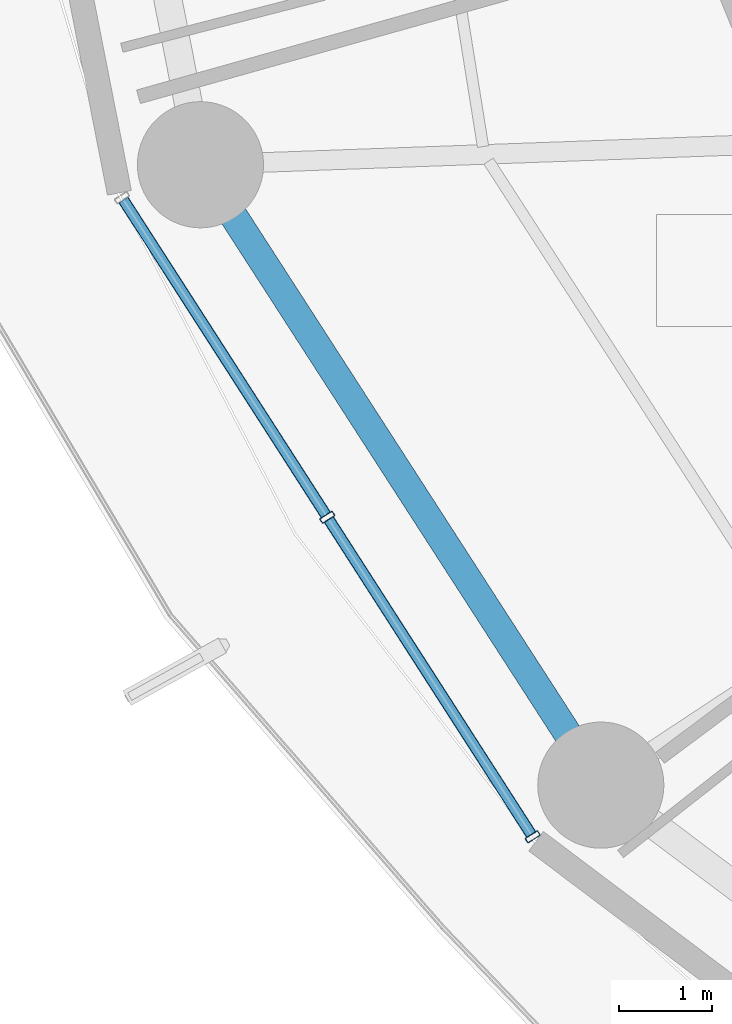
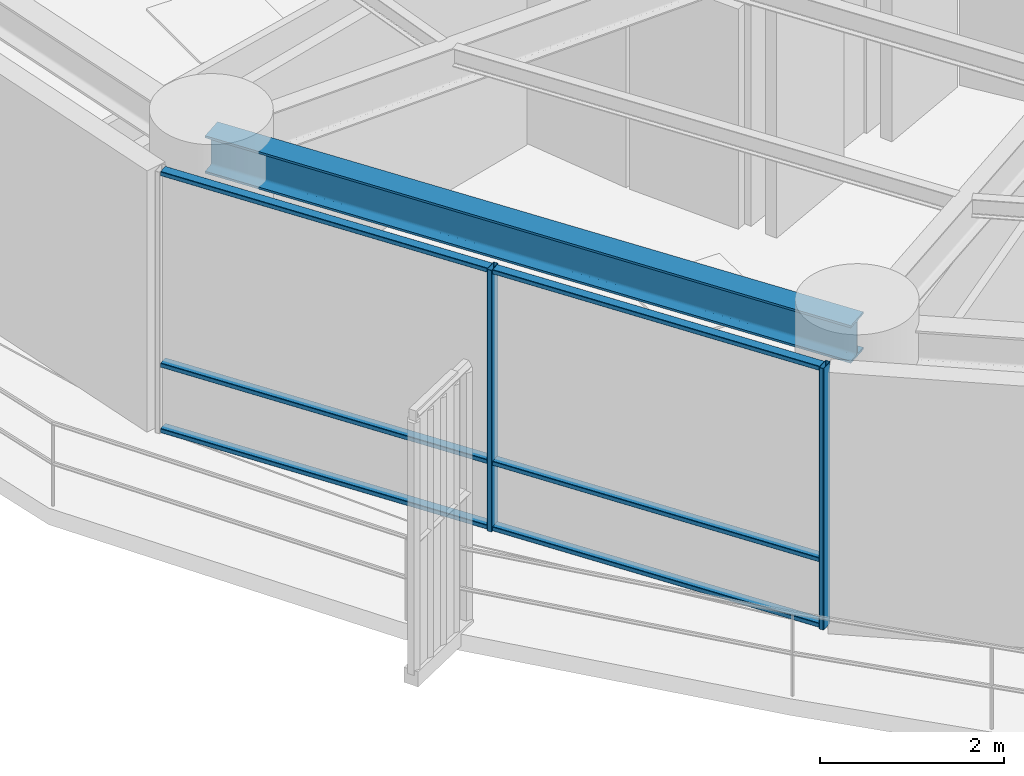
# One storey, part 2 of 36: 8 members, 1 beam, 1 element without a shape of its own.
"""IFC4 building model written with IfcOpenShell, lengths in metres."""

from ifc_helpers import new_model, si_unit, direction, frame, origin, origin_2d, place, context, subcontext, project, spatial, hollow_rectangle, i_section, extrude, material, layer, layer_set, material_profile, profile_set, type_object, element, aggregate, save


model = new_model("IFC4")

# Units and contexts
model_context = context("Model", 3, precision=1e-05, world=origin(), true_north=direction((0.0, 1.0)))
body_context = subcontext(model_context, "Body", "Model", "MODEL_VIEW")
ifc_project = project(units=[si_unit("LENGTHUNIT", "METRE"), si_unit("AREAUNIT", "SQUARE_METRE"), si_unit("VOLUMEUNIT", "CUBIC_METRE"), si_unit("PLANEANGLEUNIT", "RADIAN"), si_unit("MASSUNIT", "GRAM", prefix="KILO")], contexts=[model_context])

# Site, building, storey
site_placement = place(None, origin())
site = spatial("IfcSite", under=ifc_project, at=site_placement, CompositionType="ELEMENT")
building_placement = place(site_placement, origin())
building = spatial("IfcBuilding", under=site, at=building_placement, Name="Kelanora Arch Commons", CompositionType="ELEMENT")
storey_placement = place(building_placement, frame((0.0, 0.0, 98.85009765625)))
storey = spatial("IfcBuildingStorey", under=building, at=storey_placement, Name="L25", CompositionType="ELEMENT", Elevation=98.85009765625)

# Beam
ifc_material_1 = material(Name="Steel S355", Category="steel")
ifc_material_profile_1 = material_profile(ifc_material_1, i_section(OverallWidth=0.300048828125, OverallDepth=0.5, WebThickness=0.014404296875, FlangeThickness=0.028076171875, FilletRadius=0.027099609375, at=origin_2d()), Name="HEB500")
ifc_profile_set_1 = profile_set([ifc_material_profile_1], Name="Steel S355")
beam_type = type_object("IfcBeamType", Name="BM-SPN-Z2", PredefinedType="SPANDREL", material=ifc_profile_set_1)
beam_placement = place(storey_placement, frame((50.808349609375, 50.4482421875, 3.239990234375), z_axis=(0.542221144054, -0.840235818649, 0.0), x_axis=(0.840235818649, 0.542221144054, 0.0)))
element("IfcBeam", 1, at=beam_placement, inside=storey, type_object=beam_type, Name="Perimeter Spandrel Beam BS-20 L25", PredefinedType="SPANDREL", context=body_context, shape_type="SweptSolid", body=[
    extrude(i_section(OverallWidth=0.300048828125, OverallDepth=0.5, WebThickness=0.014404296875, FlangeThickness=0.028076171875, FilletRadius=0.027099609375, at=origin_2d()), origin(), (0.0, 0.0, 1.0), 7.90380859375),
])

# Curtain wall, members
ifc_material_2 = material(Name="Terracotta ceramic-fritted low-E glass and aluminium", Category="masonry")
ifc_layer = layer(ifc_material_2, 0.159912109375)
ifc_layer_set = layer_set([ifc_layer], Name="Terracotta ceramic-fritted low-E glass and aluminium")
curtain_wall_type = type_object("IfcCurtainWallType", Name="CW-SYS-01", PredefinedType="NOTDEFINED", material=ifc_layer_set)
curtain_wall_placement = place(storey_placement, origin())
curtain_wall = element("IfcCurtainWall", 2, at=curtain_wall_placement, inside=storey, type_object=curtain_wall_type, Name="Unitised Curtain Wall L25-B10", PredefinedType="NOTDEFINED")
ifc_material_3 = material(Name="Powder-coated aluminium terracotta", Category="masonry")
ifc_material_profile_2 = material_profile(ifc_material_3, hollow_rectangle(XDim=0.159912109375, YDim=0.06005859375, WallThickness=0.0048828125, InnerFilletRadius=0.0048828125, OuterFilletRadius=0.010009765625, at=origin_2d()), Name="CWM160x60")
ifc_profile_set_2 = profile_set([ifc_material_profile_2], Name="Powder-coated aluminium terracotta")
member_type_1 = type_object("IfcMemberType", Name="CWM-STD", PredefinedType="MULLION", material=ifc_profile_set_2)
member_1_placement = place(storey_placement, frame((52.16650390625, 46.6748046875, 0.0), z_axis=(0.0, 0.0, 1.0), x_axis=(0.841268883088, 0.540616931244, 0.0)))
member_1 = element("IfcMember", 3, at=member_1_placement, type_object=member_type_1, Name="CW-01 mullion 2", PredefinedType="MULLION", context=body_context, shape_type="SweptSolid", body=[
    extrude(hollow_rectangle(XDim=0.159912109375, YDim=0.06005859375, WallThickness=0.0048828125, InnerFilletRadius=0.0048828125, OuterFilletRadius=0.010009765625, at=origin_2d()), origin(), (0.0, 0.0, 1.0), 3.474853515625),
])
member_2_placement = place(storey_placement, frame((54.364990234375, 43.253662109375, 0.0), z_axis=(0.0, 0.0, 1.0), x_axis=(0.841268883088, 0.540616931244, 0.0)))
member_2 = element("IfcMember", 4, at=member_2_placement, type_object=member_type_1, Name="CW-01 mullion 3", PredefinedType="MULLION", context=body_context, shape_type="SweptSolid", body=[
    extrude(hollow_rectangle(XDim=0.159912109375, YDim=0.06005859375, WallThickness=0.0048828125, InnerFilletRadius=0.0048828125, OuterFilletRadius=0.010009765625, at=origin_2d()), origin(), (0.0, 0.0, 1.0), 3.474853515625),
])
ifc_material_profile_3 = material_profile(ifc_material_3, hollow_rectangle(XDim=0.1201171875, YDim=0.06005859375, WallThickness=0.0048828125, InnerFilletRadius=0.0048828125, OuterFilletRadius=0.010009765625, at=origin_2d()), Name="CWT120x60")
ifc_profile_set_3 = profile_set([ifc_material_profile_3], Name="Powder-coated aluminium terracotta")
member_type_2 = type_object("IfcMemberType", Name="CWT-STD", PredefinedType="USERDEFINED", material=ifc_profile_set_3)
member_3_placement = place(storey_placement, frame((49.984375, 50.0703125, 0.02978515625), z_axis=(0.540643629734, -0.841251725483, 0.0), x_axis=(0.841251725483, 0.540643629734, 0.0)))
member_3 = element("IfcMember", 5, at=member_3_placement, type_object=member_type_2, Name="CW-01 transom 1.1", ObjectType="TRANSOM", PredefinedType="USERDEFINED", context=body_context, shape_type="SweptSolid", body=[
    extrude(hollow_rectangle(XDim=0.1201171875, YDim=0.06005859375, WallThickness=0.0048828125, InnerFilletRadius=0.0048828125, OuterFilletRadius=0.010009765625, at=origin_2d()), origin(), (0.0, 0.0, 1.0), 4.00634765625),
])
member_4_placement = place(storey_placement, frame((49.984375, 50.0703125, 0.89990234375), z_axis=(0.540643629734, -0.841251725483, 0.0), x_axis=(0.841251725483, 0.540643629734, 0.0)))
member_4 = element("IfcMember", 6, at=member_4_placement, type_object=member_type_2, Name="CW-01 transom 1.2", ObjectType="TRANSOM", PredefinedType="USERDEFINED", context=body_context, shape_type="SweptSolid", body=[
    extrude(hollow_rectangle(XDim=0.1201171875, YDim=0.06005859375, WallThickness=0.0048828125, InnerFilletRadius=0.0048828125, OuterFilletRadius=0.010009765625, at=origin_2d()), origin(), (0.0, 0.0, 1.0), 4.00634765625),
])
member_5_placement = place(storey_placement, frame((49.984375, 50.0703125, 3.44482421875), z_axis=(0.540643629734, -0.841251725483, 0.0), x_axis=(0.841251725483, 0.540643629734, 0.0)))
member_5 = element("IfcMember", 7, at=member_5_placement, type_object=member_type_2, Name="CW-01 transom 1.3", ObjectType="TRANSOM", PredefinedType="USERDEFINED", context=body_context, shape_type="SweptSolid", body=[
    extrude(hollow_rectangle(XDim=0.1201171875, YDim=0.06005859375, WallThickness=0.0048828125, InnerFilletRadius=0.0048828125, OuterFilletRadius=0.010009765625, at=origin_2d()), origin(), (0.0, 0.0, 1.0), 4.00634765625),
])
member_6_placement = place(storey_placement, frame((52.182861328125, 46.6494140625, 0.02978515625), z_axis=(0.540643629734, -0.841251725483, 0.0), x_axis=(0.841251725483, 0.540643629734, 0.0)))
member_6 = element("IfcMember", 8, at=member_6_placement, type_object=member_type_2, Name="CW-01 transom 2.1", ObjectType="TRANSOM", PredefinedType="USERDEFINED", context=body_context, shape_type="SweptSolid", body=[
    extrude(hollow_rectangle(XDim=0.1201171875, YDim=0.06005859375, WallThickness=0.0048828125, InnerFilletRadius=0.0048828125, OuterFilletRadius=0.010009765625, at=origin_2d()), origin(), (0.0, 0.0, 1.0), 4.00634765625),
])
member_7_placement = place(storey_placement, frame((52.182861328125, 46.6494140625, 0.89990234375), z_axis=(0.540643629734, -0.841251725483, 0.0), x_axis=(0.841251725483, 0.540643629734, 0.0)))
member_7 = element("IfcMember", 9, at=member_7_placement, type_object=member_type_2, Name="CW-01 transom 2.2", ObjectType="TRANSOM", PredefinedType="USERDEFINED", context=body_context, shape_type="SweptSolid", body=[
    extrude(hollow_rectangle(XDim=0.1201171875, YDim=0.06005859375, WallThickness=0.0048828125, InnerFilletRadius=0.0048828125, OuterFilletRadius=0.010009765625, at=origin_2d()), origin(), (0.0, 0.0, 1.0), 4.00634765625),
])
member_8_placement = place(storey_placement, frame((52.182861328125, 46.6494140625, 3.44482421875), z_axis=(0.540643629734, -0.841251725483, 0.0), x_axis=(0.841251725483, 0.540643629734, 0.0)))
member_8 = element("IfcMember", 10, at=member_8_placement, type_object=member_type_2, Name="CW-01 transom 2.3", ObjectType="TRANSOM", PredefinedType="USERDEFINED", context=body_context, shape_type="SweptSolid", body=[
    extrude(hollow_rectangle(XDim=0.1201171875, YDim=0.06005859375, WallThickness=0.0048828125, InnerFilletRadius=0.0048828125, OuterFilletRadius=0.010009765625, at=origin_2d()), origin(), (0.0, 0.0, 1.0), 4.00634765625),
])
aggregate(curtain_wall, [member_1, member_2, member_3, member_4, member_5, member_6, member_7, member_8])

save(model, "model.ifc")
